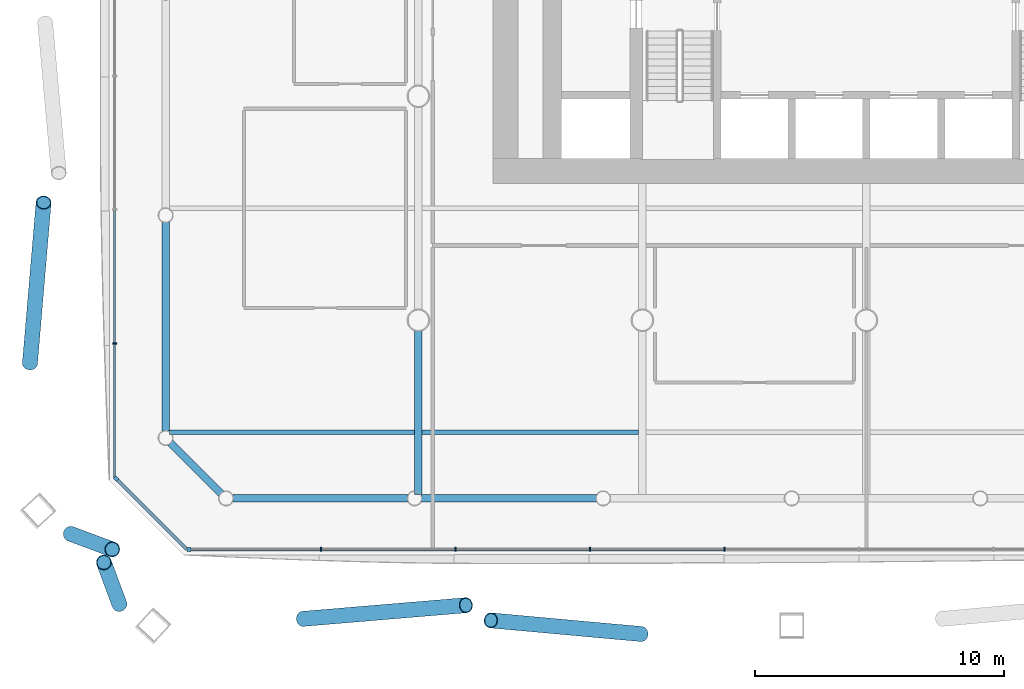
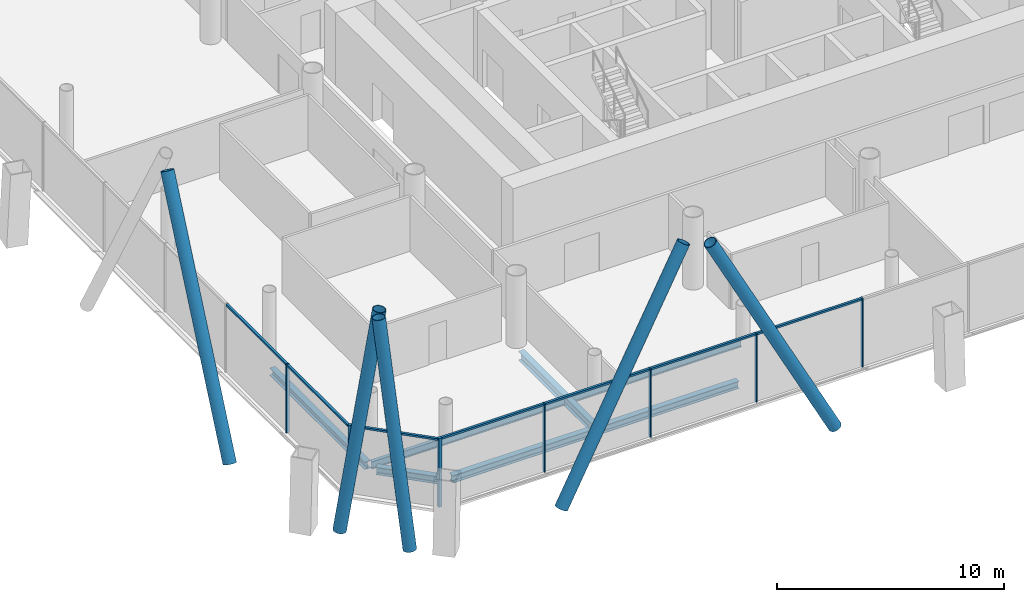
# One storey, part 3 of 25: 19 members, 7 beams, 3 elements without a shape of their own.
"""IFC4 building model written with IfcOpenShell, lengths in metres."""

from ifc_helpers import new_model, si_unit, direction, frame, origin, origin_2d, place, context, subcontext, project, spatial, rectangle, hollow_circle, i_section, extrude, material, material_profile, profile_set, type_object, element, aggregate, save


model = new_model("IFC4")

# Units and contexts
model_context = context("Model", 3, precision=1e-05, world=origin(), true_north=direction((0.0, 1.0)))
body_context = subcontext(model_context, "Body", "Model", "MODEL_VIEW")
ifc_project = project(units=[si_unit("LENGTHUNIT", "METRE"), si_unit("AREAUNIT", "SQUARE_METRE"), si_unit("VOLUMEUNIT", "CUBIC_METRE"), si_unit("PLANEANGLEUNIT", "RADIAN"), si_unit("MASSUNIT", "GRAM", prefix="KILO")], contexts=[model_context])

# Site, building, storey
site_placement = place(None, origin())
site = spatial("IfcSite", under=ifc_project, at=site_placement, CompositionType="ELEMENT")
building_placement = place(site_placement, origin())
building = spatial("IfcBuilding", under=site, at=building_placement, Name="Tskaro Facet Tower", CompositionType="ELEMENT")
storey_placement = place(building_placement, frame((0.0, 0.0, 22.5)))
storey = spatial("IfcBuildingStorey", under=building, at=storey_placement, Name="L04", CompositionType="ELEMENT", Elevation=22.5)

# Members
ifc_material_1 = material(Name="Steel S355J2H", Category="steel")
ifc_material_profile_1 = material_profile(ifc_material_1, hollow_circle(Radius=0.304931640625, WallThickness=0.030029296875, at=origin_2d()), Name="CHS 610x30")
ifc_profile_set_1 = profile_set([ifc_material_profile_1], Name="Steel S355J2H")
member_type_1 = type_object("IfcMemberType", Name="CHS 610x30 brace", PredefinedType="BRACE", material=ifc_profile_set_1)
member_1_placement = place(storey_placement, frame((-22.6357421875, -29.997314453125, 0.0), z_axis=(0.487809665063, 0.040831246537, 0.871994575658), x_axis=(-0.083411543722, 0.99651518522, 0.0)))
element("IfcMember", 1, at=member_1_placement, inside=storey, type_object=member_type_1, Name="CHS 610x30 XB01A/1", PredefinedType="BRACE", context=body_context, shape_type="SweptSolid", body=[
    extrude(hollow_circle(Radius=0.304931640625, WallThickness=0.030029296875, at=origin_2d()), origin(), (0.0, 0.0, 1.0), 13.41748046875),
])
member_2_placement = place(storey_placement, frame((-9.044921875, -30.607177734375, 0.0), z_axis=(-0.458635183908, 0.04154592777, 0.887652918639), x_axis=(-0.090216607637, -0.995922167494, 0.0)))
element("IfcMember", 2, at=member_2_placement, inside=storey, type_object=member_type_1, Name="CHS 610x30 XB01B/1", PredefinedType="BRACE", context=body_context, shape_type="SweptSolid", body=[
    extrude(hollow_circle(Radius=0.304931640625, WallThickness=0.030029296875, at=origin_2d()), origin(), (0.0, 0.0, 1.0), 13.1806640625),
])
member_3_placement = place(storey_placement, frame((-33.607177734375, -19.725341796875, 0.0), z_axis=(0.040945403918, 0.482710350337, 0.874822377158), x_axis=(-0.996421745721, 0.084520439271, 0.0)))
element("IfcMember", 3, at=member_3_placement, inside=storey, type_object=member_type_1, Name="CHS 610x30 XB11B/1", PredefinedType="BRACE", context=body_context, shape_type="SweptSolid", body=[
    extrude(hollow_circle(Radius=0.304931640625, WallThickness=0.030029296875, at=origin_2d()), origin(), (0.0, 0.0, 1.0), 13.3740234375),
])
for number, where, z_axis, x_axis, name in (
    (4, (-31.966796875, -26.584716796875, 0.0), (0.140901008099, -0.052358236977, 0.988638215394), (0.348324360199, 0.937374066257, 0.0), "CHS 610x30 XB12A/1"),
    (5, (-30.01611328125, -29.398193359375, 0.0), (-0.052358236977, 0.140901008099, 0.988638215394), (-0.937374066257, -0.348324360199, 0.0), "CHS 610x30 XB12B/1"),
):
    element("IfcMember", number, at=place(storey_placement, frame(where, z_axis=z_axis, x_axis=x_axis)), inside=storey, type_object=member_type_1, Name=name, PredefinedType="BRACE", context=body_context, shape_type="SweptSolid", body=[
        extrude(hollow_circle(Radius=0.304931640625, WallThickness=0.030029296875, at=origin_2d()), origin(), (0.0, 0.0, 1.0), 11.83447265625),
    ])

# Curtain wall, member
ifc_material_2 = material(Name="Bronze anodised aluminium 6063-T6", Category="aluminium")
curtain_wall_type = type_object("IfcCurtainWallType", Name="Bronze office curtain wall (FW1)", PredefinedType="NOTDEFINED", material=ifc_material_2)
curtain_wall_1_placement = place(storey_placement, origin())
curtain_wall_1 = element("IfcCurtainWall", 6, at=curtain_wall_1_placement, inside=storey, type_object=curtain_wall_type, Name="FW1 south facet L04", PredefinedType="NOTDEFINED")
ifc_material_profile_2 = material_profile(ifc_material_2, rectangle(XDim=0.159912109375, YDim=0.159912109375, at=origin_2d()), Name="Corner post 160x160")
ifc_profile_set_2 = profile_set([ifc_material_profile_2], Name="Bronze anodised aluminium 6063-T6")
member_type_2 = type_object("IfcMemberType", Name="FW1 bronze corner post 160x160", PredefinedType="MULLION", material=ifc_profile_set_2)
member_4_placement = place(storey_placement, frame((-27.22509765625, -27.201904296875, 0.0), z_axis=(0.0, 0.0, 1.0), x_axis=(1.0, 0.0, 0.0)))
member_4 = element("IfcMember", 7, at=member_4_placement, type_object=member_type_2, Name="FW1 south corner post", PredefinedType="MULLION", context=body_context, shape_type="SweptSolid", body=[
    extrude(rectangle(XDim=0.159912109375, YDim=0.159912109375, at=origin_2d()), origin(), (0.0, 0.0, 1.0), 3.699951171875),
])

curtain_wall_2_placement = place(storey_placement, origin())
curtain_wall_2 = element("IfcCurtainWall", 8, at=curtain_wall_2_placement, inside=storey, type_object=curtain_wall_type, Name="FW1 south-west facet L04", PredefinedType="NOTDEFINED")
member_5_placement = place(storey_placement, frame((-30.1455078125, -24.361572265625, 0.0), z_axis=(0.0, 0.0, 1.0), x_axis=(0.707106781187, -0.707106781187, 0.0)))
member_5 = element("IfcMember", 9, at=member_5_placement, type_object=member_type_2, Name="FW1 south-west corner post", PredefinedType="MULLION", context=body_context, shape_type="SweptSolid", body=[
    extrude(rectangle(XDim=0.159912109375, YDim=0.159912109375, at=origin_2d()), origin(), (0.0, 0.0, 1.0), 3.699951171875),
])

# Member
ifc_material_profile_3 = material_profile(ifc_material_2, rectangle(XDim=0.06005859375, YDim=0.159912109375, at=origin_2d()), Name="Mullion 60x160")
ifc_profile_set_3 = profile_set([ifc_material_profile_3], Name="Bronze anodised aluminium 6063-T6")
member_type_3 = type_object("IfcMemberType", Name="FW1 bronze mullion 60x160", PredefinedType="MULLION", material=ifc_profile_set_3)
member_6_placement = place(storey_placement, frame((-21.90380859375, -27.201904296875, 0.0), z_axis=(0.0, 0.0, 1.0), x_axis=(1.0, 0.0, 0.0)))
member_6 = element("IfcMember", 10, at=member_6_placement, type_object=member_type_3, Name="FW1 south mullion 1", PredefinedType="MULLION", context=body_context, shape_type="SweptSolid", body=[
    extrude(rectangle(XDim=0.06005859375, YDim=0.159912109375, at=origin_2d()), origin(), (0.0, 0.0, 1.0), 3.699951171875),
])

member_7_placement = place(storey_placement, frame((-16.502685546875, -27.201904296875, 0.0), z_axis=(0.0, 0.0, 1.0), x_axis=(1.0, 0.0, 0.0)))
member_7 = element("IfcMember", 11, at=member_7_placement, type_object=member_type_3, Name="FW1 south mullion 2", PredefinedType="MULLION", context=body_context, shape_type="SweptSolid", body=[
    extrude(rectangle(XDim=0.06005859375, YDim=0.159912109375, at=origin_2d()), origin(), (0.0, 0.0, 1.0), 3.699951171875),
])

member_8_placement = place(storey_placement, frame((-11.1015625, -27.201904296875, 0.0), z_axis=(0.0, 0.0, 1.0), x_axis=(1.0, 0.0, 0.0)))
member_8 = element("IfcMember", 12, at=member_8_placement, type_object=member_type_3, Name="FW1 south mullion 3", PredefinedType="MULLION", context=body_context, shape_type="SweptSolid", body=[
    extrude(rectangle(XDim=0.06005859375, YDim=0.159912109375, at=origin_2d()), origin(), (0.0, 0.0, 1.0), 3.699951171875),
])

member_9_placement = place(storey_placement, frame((-5.700439453125, -27.201904296875, 0.0), z_axis=(0.0, 0.0, 1.0), x_axis=(1.0, 0.0, 0.0)))
member_9 = element("IfcMember", 13, at=member_9_placement, type_object=member_type_3, Name="FW1 south mullion 4", PredefinedType="MULLION", context=body_context, shape_type="SweptSolid", body=[
    extrude(rectangle(XDim=0.06005859375, YDim=0.159912109375, at=origin_2d()), origin(), (0.0, 0.0, 1.0), 3.699951171875),
])

# Curtain wall, member
curtain_wall_3_placement = place(storey_placement, origin())
curtain_wall_3 = element("IfcCurtainWall", 14, at=curtain_wall_3_placement, inside=storey, type_object=curtain_wall_type, Name="FW1 west facet L04", PredefinedType="NOTDEFINED")
member_10_placement = place(storey_placement, frame((-30.201904296875, -18.930419921875, 0.0), z_axis=(0.0, 0.0, 1.0), x_axis=(0.0, -1.0, 0.0)))
member_10 = element("IfcMember", 15, at=member_10_placement, type_object=member_type_3, Name="FW1 west mullion 8", PredefinedType="MULLION", context=body_context, shape_type="SweptSolid", body=[
    extrude(rectangle(XDim=0.06005859375, YDim=0.159912109375, at=origin_2d()), origin(), (0.0, 0.0, 1.0), 3.699951171875),
])

# Member
ifc_material_profile_4 = material_profile(ifc_material_2, rectangle(XDim=0.1201171875, YDim=0.10009765625, at=origin_2d()), Name="Transom 120x100")
ifc_profile_set_4 = profile_set([ifc_material_profile_4], Name="Bronze anodised aluminium 6063-T6")
member_type_4 = type_object("IfcMemberType", Name="FW1 bronze transom 120x100", PredefinedType="USERDEFINED", material=ifc_profile_set_4)
member_11_placement = place(storey_placement, frame((-27.14501953125, -27.201904296875, 3.64990234375), z_axis=(1.0, 0.0, 0.0), x_axis=(0.0, 1.0, 0.0)))
member_11 = element("IfcMember", 16, at=member_11_placement, type_object=member_type_4, Name="FW1 south transom 1.1", ObjectType="TRANSOM", PredefinedType="USERDEFINED", context=body_context, shape_type="SweptSolid", body=[
    extrude(rectangle(XDim=0.1201171875, YDim=0.10009765625, at=origin_2d()), origin(), (0.0, 0.0, 1.0), 5.211181640625),
])

member_12_placement = place(storey_placement, frame((-21.873779296875, -27.201904296875, 3.64990234375), z_axis=(1.0, 0.0, 0.0), x_axis=(0.0, 1.0, 0.0)))
member_12 = element("IfcMember", 17, at=member_12_placement, type_object=member_type_4, Name="FW1 south transom 2.1", ObjectType="TRANSOM", PredefinedType="USERDEFINED", context=body_context, shape_type="SweptSolid", body=[
    extrude(rectangle(XDim=0.1201171875, YDim=0.10009765625, at=origin_2d()), origin(), (0.0, 0.0, 1.0), 5.341064453125),
])

member_13_placement = place(storey_placement, frame((-16.47265625, -27.201904296875, 3.64990234375), z_axis=(1.0, 0.0, 0.0), x_axis=(0.0, 1.0, 0.0)))
member_13 = element("IfcMember", 18, at=member_13_placement, type_object=member_type_4, Name="FW1 south transom 3.1", ObjectType="TRANSOM", PredefinedType="USERDEFINED", context=body_context, shape_type="SweptSolid", body=[
    extrude(rectangle(XDim=0.1201171875, YDim=0.10009765625, at=origin_2d()), origin(), (0.0, 0.0, 1.0), 5.341064453125),
])

member_14_placement = place(storey_placement, frame((-11.07177734375, -27.201904296875, 3.64990234375), z_axis=(1.0, 0.0, 0.0), x_axis=(0.0, 1.0, 0.0)))
member_14 = element("IfcMember", 19, at=member_14_placement, type_object=member_type_4, Name="FW1 south transom 4.1", ObjectType="TRANSOM", PredefinedType="USERDEFINED", context=body_context, shape_type="SweptSolid", body=[
    extrude(rectangle(XDim=0.1201171875, YDim=0.10009765625, at=origin_2d()), origin(), (0.0, 0.0, 1.0), 5.34130859375),
])

aggregate(curtain_wall_1, [member_4, member_6, member_7, member_8, member_9, member_11, member_12, member_13, member_14])

member_15_placement = place(storey_placement, frame((-30.201904296875, -13.5859375, 3.64990234375), z_axis=(0.0, -1.0, 0.0), x_axis=(1.0, 0.0, 0.0)))
member_15 = element("IfcMember", 20, at=member_15_placement, type_object=member_type_4, Name="FW1 west transom 8.1", ObjectType="TRANSOM", PredefinedType="USERDEFINED", context=body_context, shape_type="SweptSolid", body=[
    extrude(rectangle(XDim=0.1201171875, YDim=0.10009765625, at=origin_2d()), origin(), (0.0, 0.0, 1.0), 5.314453125),
])

member_16_placement = place(storey_placement, frame((-30.201904296875, -18.96044921875, 3.64990234375), z_axis=(0.0, -1.0, 0.0), x_axis=(1.0, 0.0, 0.0)))
member_16 = element("IfcMember", 21, at=member_16_placement, type_object=member_type_4, Name="FW1 west transom 9.1", ObjectType="TRANSOM", PredefinedType="USERDEFINED", context=body_context, shape_type="SweptSolid", body=[
    extrude(rectangle(XDim=0.1201171875, YDim=0.10009765625, at=origin_2d()), origin(), (0.0, 0.0, 1.0), 5.344482421875),
])

aggregate(curtain_wall_3, [member_10, member_15, member_16])

member_17_placement = place(storey_placement, frame((-30.0888671875, -24.418212890625, 3.64990234375), z_axis=(0.707137787162, -0.707075773851, 0.0), x_axis=(0.707075773851, 0.707137787162, 0.0)))
member_17 = element("IfcMember", 22, at=member_17_placement, type_object=member_type_4, Name="FW1 south-west transom 1.1", ObjectType="TRANSOM", PredefinedType="USERDEFINED", context=body_context, shape_type="SweptSolid", body=[
    extrude(rectangle(XDim=0.1201171875, YDim=0.10009765625, at=origin_2d()), origin(), (0.0, 0.0, 1.0), 3.93701171875),
])

aggregate(curtain_wall_2, [member_5, member_17])

# Beams
ifc_material_3 = material(Name="Steel S355J2", Category="steel")
ifc_material_profile_5 = material_profile(ifc_material_3, i_section(OverallWidth=0.300048828125, OverallDepth=0.39990234375, WebThickness=0.013427734375, FlangeThickness=0.02392578125, FilletRadius=0.027099609375, at=origin_2d()), Name="HE 400 B")
ifc_profile_set_5 = profile_set([ifc_material_profile_5], Name="Steel S355J2")
beam_type_1 = type_object("IfcBeamType", Name="HE 400 B ring beam", PredefinedType="BEAM", material=ifc_profile_set_5)
beam_1_placement = place(storey_placement, frame((-25.4541015625, -25.156982421875, -0.340087890625), z_axis=(1.0, 0.0, 0.0), x_axis=(0.0, 1.0, 0.0)))
element("IfcBeam", 23, at=beam_1_placement, inside=storey, type_object=beam_type_1, Name="HE 400 B EB1-1", PredefinedType="BEAM", context=body_context, shape_type="SweptSolid", body=[
    extrude(i_section(OverallWidth=0.300048828125, OverallDepth=0.39990234375, WebThickness=0.013427734375, FlangeThickness=0.02392578125, FilletRadius=0.027099609375, at=origin_2d()), origin(), (0.0, 0.0, 1.0), 7.026123046875),
])
beam_2_placement = place(storey_placement, frame((-17.8779296875, -25.156982421875, -0.340087890625), z_axis=(1.0, 0.0, 0.0), x_axis=(0.0, 1.0, 0.0)))
element("IfcBeam", 24, at=beam_2_placement, inside=storey, type_object=beam_type_1, Name="HE 400 B EB2-1", PredefinedType="BEAM", context=body_context, shape_type="SweptSolid", body=[
    extrude(i_section(OverallWidth=0.300048828125, OverallDepth=0.39990234375, WebThickness=0.013427734375, FlangeThickness=0.02392578125, FilletRadius=0.027099609375, at=origin_2d()), origin(), (0.0, 0.0, 1.0), 7.02685546875),
])
beam_3_placement = place(storey_placement, frame((-28.156982421875, -14.055908203125, -0.340087890625), z_axis=(0.0, -1.0, 0.0), x_axis=(1.0, 0.0, 0.0)))
element("IfcBeam", 25, at=beam_3_placement, inside=storey, type_object=beam_type_1, Name="HE 400 B EB24-1", PredefinedType="BEAM", context=body_context, shape_type="SweptSolid", body=[
    extrude(i_section(OverallWidth=0.300048828125, OverallDepth=0.39990234375, WebThickness=0.013427734375, FlangeThickness=0.02392578125, FilletRadius=0.027099609375, at=origin_2d()), origin(), (0.0, 0.0, 1.0), 8.398193359375),
])
beam_4_placement = place(storey_placement, frame((-27.962646484375, -22.92333984375, -0.340087890625), z_axis=(0.707106781187, -0.707106781187, 0.0), x_axis=(0.707106781187, 0.707106781187, 0.0)))
element("IfcBeam", 26, at=beam_4_placement, inside=storey, type_object=beam_type_1, Name="HE 400 B EB25-1", PredefinedType="BEAM", context=body_context, shape_type="SweptSolid", body=[
    extrude(i_section(OverallWidth=0.300048828125, OverallDepth=0.39990234375, WebThickness=0.013427734375, FlangeThickness=0.02392578125, FilletRadius=0.027099609375, at=origin_2d()), origin(), (0.0, 0.0, 1.0), 2.884033203125),
])
ifc_material_profile_6 = material_profile(ifc_material_3, i_section(OverallWidth=0.300048828125, OverallDepth=0.489990234375, WebThickness=0.011962890625, FlangeThickness=0.02294921875, FilletRadius=0.027099609375, at=origin_2d()), Name="HE 500 A")
ifc_profile_set_6 = profile_set([ifc_material_profile_6], Name="Steel S355J2")
beam_type_2 = type_object("IfcBeamType", Name="HE 500 A girder", PredefinedType="BEAM", material=ifc_profile_set_6)
beam_5_placement = place(storey_placement, frame((-18.0, -25.007080078125, -0.385009765625), z_axis=(0.0, 1.0, 0.0), x_axis=(-1.0, 0.0, 0.0)))
element("IfcBeam", 27, at=beam_5_placement, inside=storey, type_object=beam_type_2, Name="HE 500 A GB2-1-1", PredefinedType="BEAM", context=body_context, shape_type="SweptSolid", body=[
    extrude(i_section(OverallWidth=0.300048828125, OverallDepth=0.489990234375, WebThickness=0.011962890625, FlangeThickness=0.02294921875, FilletRadius=0.027099609375, at=origin_2d()), origin(), (0.0, 0.0, 1.0), 6.579833984375),
])
ifc_material_profile_7 = material_profile(ifc_material_3, i_section(OverallWidth=0.179931640625, OverallDepth=0.39990234375, WebThickness=0.008544921875, FlangeThickness=0.013427734375, FilletRadius=0.02099609375, at=origin_2d()), Name="IPE 400")
ifc_profile_set_7 = profile_set([ifc_material_profile_7], Name="Steel S355J2")
beam_type_3 = type_object("IfcBeamType", Name="IPE 400 secondary beam", PredefinedType="BEAM", material=ifc_profile_set_7)
beam_6_placement = place(storey_placement, frame((-28.007080078125, -22.5, -0.340087890625), z_axis=(1.0, 0.0, 0.0), x_axis=(0.0, 1.0, 0.0)))
element("IfcBeam", 28, at=beam_6_placement, inside=storey, type_object=beam_type_3, Name="IPE 400 SB1a-1-1", PredefinedType="BEAM", context=body_context, shape_type="SweptSolid", body=[
    extrude(i_section(OverallWidth=0.179931640625, OverallDepth=0.39990234375, WebThickness=0.008544921875, FlangeThickness=0.013427734375, FilletRadius=0.02099609375, at=origin_2d()), origin(), (0.0, 0.0, 1.0), 9.857177734375),
])
beam_7_placement = place(storey_placement, frame((-17.85009765625, -22.5, -0.340087890625), z_axis=(1.0, 0.0, 0.0), x_axis=(0.0, 1.0, 0.0)))
element("IfcBeam", 29, at=beam_7_placement, inside=storey, type_object=beam_type_3, Name="IPE 400 SB1a-2-1", PredefinedType="BEAM", context=body_context, shape_type="SweptSolid", body=[
    extrude(i_section(OverallWidth=0.179931640625, OverallDepth=0.39990234375, WebThickness=0.008544921875, FlangeThickness=0.013427734375, FilletRadius=0.02099609375, at=origin_2d()), origin(), (0.0, 0.0, 1.0), 8.7001953125),
])

save(model, "model.ifc")
